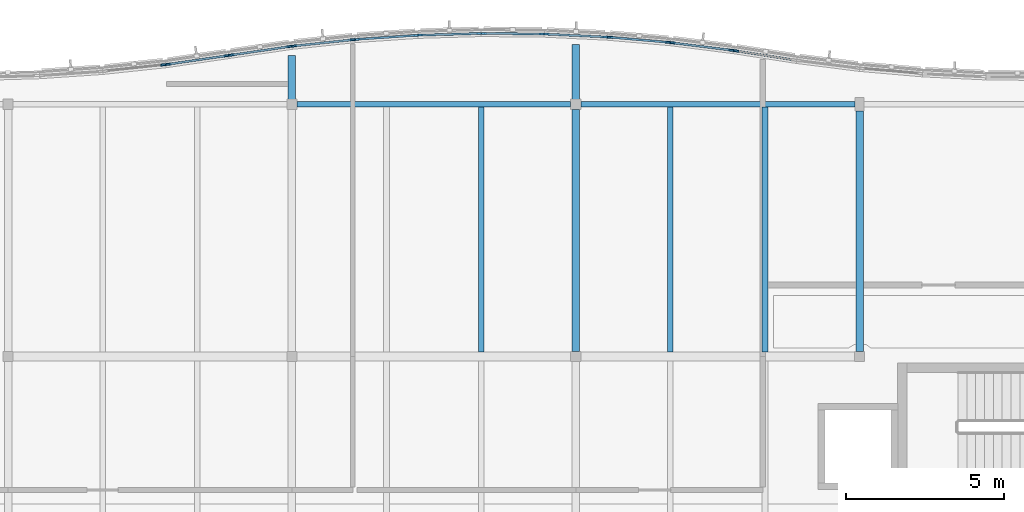
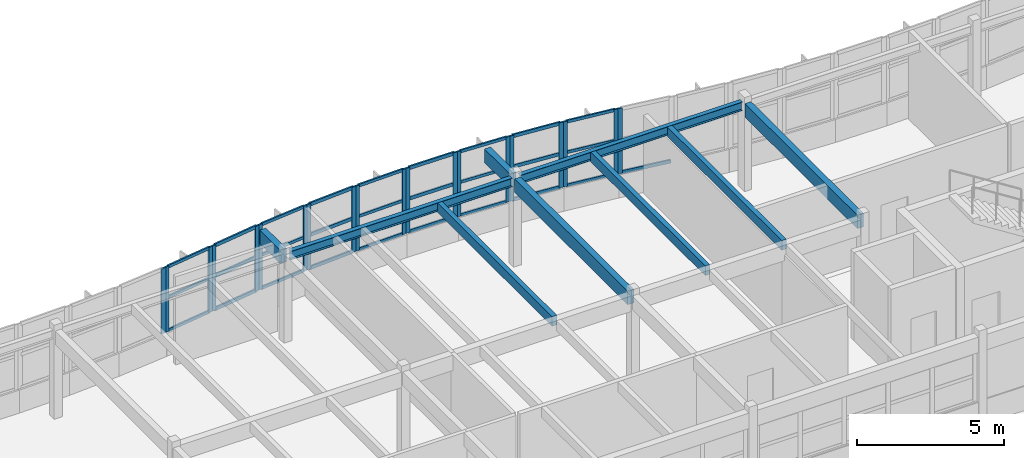
# One storey, part 7 of 33: 48 members, 9 beams, 11 elements without a shape of their own.
"""IFC4 building model written with IfcOpenShell, lengths in metres."""

from ifc_helpers import new_model, si_unit, direction, frame, origin, origin_2d, place, context, subcontext, project, spatial, rectangle, i_section, extrude, material, layer, layer_set, material_profile, profile_set, type_object, element, aggregate, save


model = new_model("IFC4")

# Units and contexts
model_context = context("Model", 3, precision=1e-05, world=origin(), true_north=direction((0.0, 1.0)))
body_context = subcontext(model_context, "Body", "Model", "MODEL_VIEW")
ifc_project = project(units=[si_unit("LENGTHUNIT", "METRE"), si_unit("AREAUNIT", "SQUARE_METRE"), si_unit("VOLUMEUNIT", "CUBIC_METRE"), si_unit("PLANEANGLEUNIT", "RADIAN"), si_unit("MASSUNIT", "GRAM", prefix="KILO")], contexts=[model_context])

# Site, building, storey
site_placement = place(None, origin())
site = spatial("IfcSite", under=ifc_project, at=site_placement, CompositionType="ELEMENT")
building_placement = place(site_placement, origin())
building = spatial("IfcBuilding", under=site, at=building_placement, Name="Tonlespit Floodbar School", CompositionType="ELEMENT")
storey_placement = place(building_placement, frame((0.0, 0.0, 16.199951171875)))
storey = spatial("IfcBuildingStorey", under=building, at=storey_placement, Name="L04", CompositionType="ELEMENT", Elevation=16.199951171875)

# Beams
ifc_material_1 = material(Name="Glulam GL28h", Category="wood")
ifc_material_profile_1 = material_profile(ifc_material_1, rectangle(XDim=0.239990234375, YDim=0.56005859375, at=origin_2d()), Name="GL 240x560")
ifc_profile_set_1 = profile_set([ifc_material_profile_1], Name="Glulam GL28h")
beam_type_1 = type_object("IfcBeamType", Name="Beam_GL_240x560", PredefinedType="BEAM", material=ifc_profile_set_1)
beam_1_placement = place(storey_placement, frame((89.0, 112.159912109375, 3.3701171875), z_axis=(0.0, 1.0, 0.0), x_axis=(-1.0, 0.0, 0.0)))
element("IfcBeam", 1, at=beam_1_placement, inside=storey, type_object=beam_type_1, Name="L04 girder 1317", PredefinedType="BEAM", context=body_context, shape_type="SweptSolid", body=[
    extrude(rectangle(XDim=0.239990234375, YDim=0.56005859375, at=origin_2d()), origin(), (0.0, 0.0, 1.0), 7.68017578125),
])
beam_2_placement = place(storey_placement, frame((98.0, 112.159912109375, 3.3701171875), z_axis=(0.0, 1.0, 0.0), x_axis=(-1.0, 0.0, 0.0)))
element("IfcBeam", 2, at=beam_2_placement, inside=storey, type_object=beam_type_1, Name="L04 girder 1318", PredefinedType="BEAM", context=body_context, shape_type="SweptSolid", body=[
    extrude(rectangle(XDim=0.239990234375, YDim=0.56005859375, at=origin_2d()), origin(), (0.0, 0.0, 1.0), 7.630126953125),
])
beam_3_placement = place(storey_placement, frame((80.0, 120.159912109375, 3.3701171875), z_axis=(0.0, 1.0, 0.0), x_axis=(-1.0, 0.0, 0.0)))
element("IfcBeam", 3, at=beam_3_placement, inside=storey, type_object=beam_type_1, Name="L04 north street wave cantilever bracket", PredefinedType="BEAM", context=body_context, shape_type="SweptSolid", body=[
    extrude(rectangle(XDim=0.239990234375, YDim=0.56005859375, at=origin_2d()), origin(), (0.0, 0.0, 1.0), 1.381591796875),
])
beam_4_placement = place(storey_placement, frame((89.0, 120.159912109375, 3.3701171875), z_axis=(0.0, 1.0, 0.0), x_axis=(-1.0, 0.0, 0.0)))
element("IfcBeam", 4, at=beam_4_placement, inside=storey, type_object=beam_type_1, Name="L04 north street wave cantilever bracket", PredefinedType="BEAM", context=body_context, shape_type="SweptSolid", body=[
    extrude(rectangle(XDim=0.239990234375, YDim=0.56005859375, at=origin_2d()), origin(), (0.0, 0.0, 1.0), 1.7294921875),
])

# Curtain wall, members
ifc_material_2 = material(Name="Anodised Aluminium", Category="aluminium")
ifc_layer_1 = layer(ifc_material_2, 0.159912109375)
ifc_layer_set_1 = layer_set([ifc_layer_1], Name="Anodised Aluminium")
curtain_wall_type_1 = type_object("IfcCurtainWallType", Name="CurtainWall_1950x2700", PredefinedType="NOTDEFINED", material=ifc_layer_set_1)
curtain_wall_1_placement = place(storey_placement, origin())
curtain_wall_1 = element("IfcCurtainWall", 5, at=curtain_wall_1_placement, inside=storey, type_object=curtain_wall_type_1, Name="L04 unitised curtain wall 0182", PredefinedType="NOTDEFINED")
ifc_material_profile_2 = material_profile(ifc_material_2, rectangle(XDim=0.06494140625, YDim=0.14990234375, at=origin_2d()), Name="ALU M65x150")
ifc_profile_set_2 = profile_set([ifc_material_profile_2], Name="Anodised Aluminium")
member_type_1 = type_object("IfcMemberType", Name="CW_Mullion_65x150", PredefinedType="MULLION", material=ifc_profile_set_2)
member_1_placement = place(storey_placement, frame((76.07177734375, 121.268798828125, 0.949951171875), z_axis=(0.0, 0.0, 1.0), x_axis=(-0.144248041079, 0.989541561858, 0.0)))
member_1 = element("IfcMember", 6, at=member_1_placement, type_object=member_type_1, Name="CW-04 mullion 1", PredefinedType="MULLION", context=body_context, shape_type="SweptSolid", body=[
    extrude(rectangle(XDim=0.06494140625, YDim=0.14990234375, at=origin_2d()), origin(), (0.0, 0.0, 1.0), 2.7001953125),
])
member_2_placement = place(storey_placement, frame((77.92822265625, 121.53955078125, 0.949951171875), z_axis=(0.0, 0.0, 1.0), x_axis=(-0.144248041079, 0.989541561858, 0.0)))
member_2 = element("IfcMember", 7, at=member_2_placement, type_object=member_type_1, Name="CW-04 mullion 2", PredefinedType="MULLION", context=body_context, shape_type="SweptSolid", body=[
    extrude(rectangle(XDim=0.06494140625, YDim=0.14990234375, at=origin_2d()), origin(), (0.0, 0.0, 1.0), 2.7001953125),
])

curtain_wall_2_placement = place(storey_placement, origin())
curtain_wall_2 = element("IfcCurtainWall", 8, at=curtain_wall_2_placement, inside=storey, type_object=curtain_wall_type_1, Name="L04 unitised curtain wall 0184", PredefinedType="NOTDEFINED")
member_3_placement = place(storey_placement, frame((80.072021484375, 121.84912109375, 0.949951171875), z_axis=(0.0, 0.0, 1.0), x_axis=(-0.105787143968, 0.994388797288, 0.0)))
member_3 = element("IfcMember", 9, at=member_3_placement, type_object=member_type_1, Name="CW-04 mullion 1", PredefinedType="MULLION", context=body_context, shape_type="SweptSolid", body=[
    extrude(rectangle(XDim=0.06494140625, YDim=0.14990234375, at=origin_2d()), origin(), (0.0, 0.0, 1.0), 2.7001953125),
])
member_4_placement = place(storey_placement, frame((81.927978515625, 122.046630859375, 0.949951171875), z_axis=(0.0, 0.0, 1.0), x_axis=(-0.105787143968, 0.994388797288, 0.0)))
member_4 = element("IfcMember", 10, at=member_4_placement, type_object=member_type_1, Name="CW-04 mullion 2", PredefinedType="MULLION", context=body_context, shape_type="SweptSolid", body=[
    extrude(rectangle(XDim=0.06494140625, YDim=0.14990234375, at=origin_2d()), origin(), (0.0, 0.0, 1.0), 2.7001953125),
])

ifc_layer_2 = layer(ifc_material_2, 0.159912109375)
ifc_layer_set_2 = layer_set([ifc_layer_2], Name="Anodised Aluminium")
curtain_wall_type_2 = type_object("IfcCurtainWallType", Name="CurtainWall_1900x2700", PredefinedType="NOTDEFINED", material=ifc_layer_set_2)
curtain_wall_3_placement = place(storey_placement, origin())
curtain_wall_3 = element("IfcCurtainWall", 11, at=curtain_wall_3_placement, inside=storey, type_object=curtain_wall_type_2, Name="L04 unitised curtain wall 0186", PredefinedType="NOTDEFINED")
member_5_placement = place(storey_placement, frame((84.072509765625, 122.19140625, 0.949951171875), z_axis=(0.0, 0.0, 1.0), x_axis=(-0.028790144226, 0.999585477883, 0.0)))
member_5 = element("IfcMember", 12, at=member_5_placement, type_object=member_type_1, Name="CW-05 mullion 1", PredefinedType="MULLION", context=body_context, shape_type="SweptSolid", body=[
    extrude(rectangle(XDim=0.06494140625, YDim=0.14990234375, at=origin_2d()), origin(), (0.0, 0.0, 1.0), 2.7001953125),
])
member_6_placement = place(storey_placement, frame((85.927490234375, 122.244873046875, 0.949951171875), z_axis=(0.0, 0.0, 1.0), x_axis=(-0.028790144226, 0.999585477883, 0.0)))
member_6 = element("IfcMember", 13, at=member_6_placement, type_object=member_type_1, Name="CW-05 mullion 2", PredefinedType="MULLION", context=body_context, shape_type="SweptSolid", body=[
    extrude(rectangle(XDim=0.06494140625, YDim=0.14990234375, at=origin_2d()), origin(), (0.0, 0.0, 1.0), 2.7001953125),
])

curtain_wall_4_placement = place(storey_placement, origin())
curtain_wall_4 = element("IfcCurtainWall", 14, at=curtain_wall_4_placement, inside=storey, type_object=curtain_wall_type_2, Name="L04 unitised curtain wall 0188", PredefinedType="NOTDEFINED")
member_7_placement = place(storey_placement, frame((88.072509765625, 122.224365234375, 0.949951171875), z_axis=(0.0, 0.0, 1.0), x_axis=(0.048121270216, 0.998841500616, 0.0)))
member_7 = element("IfcMember", 15, at=member_7_placement, type_object=member_type_1, Name="CW-05 mullion 1", PredefinedType="MULLION", context=body_context, shape_type="SweptSolid", body=[
    extrude(rectangle(XDim=0.06494140625, YDim=0.14990234375, at=origin_2d()), origin(), (0.0, 0.0, 1.0), 2.7001953125),
])
member_8_placement = place(storey_placement, frame((89.927490234375, 122.135009765625, 0.949951171875), z_axis=(0.0, 0.0, 1.0), x_axis=(0.048121270216, 0.998841500616, 0.0)))
member_8 = element("IfcMember", 16, at=member_8_placement, type_object=member_type_1, Name="CW-05 mullion 2", PredefinedType="MULLION", context=body_context, shape_type="SweptSolid", body=[
    extrude(rectangle(XDim=0.06494140625, YDim=0.14990234375, at=origin_2d()), origin(), (0.0, 0.0, 1.0), 2.7001953125),
])

curtain_wall_5_placement = place(storey_placement, origin())
curtain_wall_5 = element("IfcCurtainWall", 17, at=curtain_wall_5_placement, inside=storey, type_object=curtain_wall_type_1, Name="L04 unitised curtain wall 0190", PredefinedType="NOTDEFINED")
member_9_placement = place(storey_placement, frame((92.072021484375, 121.94873046875, 0.949951171875), z_axis=(0.0, 0.0, 1.0), x_axis=(0.125013803299, 0.992155002499, 0.0)))
member_9 = element("IfcMember", 18, at=member_9_placement, type_object=member_type_1, Name="CW-04 mullion 1", PredefinedType="MULLION", context=body_context, shape_type="SweptSolid", body=[
    extrude(rectangle(XDim=0.06494140625, YDim=0.14990234375, at=origin_2d()), origin(), (0.0, 0.0, 1.0), 2.7001953125),
])
member_10_placement = place(storey_placement, frame((93.927978515625, 121.71484375, 0.949951171875), z_axis=(0.0, 0.0, 1.0), x_axis=(0.125013803299, 0.992155002499, 0.0)))
member_10 = element("IfcMember", 19, at=member_10_placement, type_object=member_type_1, Name="CW-04 mullion 2", PredefinedType="MULLION", context=body_context, shape_type="SweptSolid", body=[
    extrude(rectangle(XDim=0.06494140625, YDim=0.14990234375, at=origin_2d()), origin(), (0.0, 0.0, 1.0), 2.7001953125),
])

# Curtain wall, member
curtain_wall_6_placement = place(storey_placement, origin())
curtain_wall_6 = element("IfcCurtainWall", 20, at=curtain_wall_6_placement, inside=storey, type_object=curtain_wall_type_1, Name="L04 unitised curtain wall 0181", PredefinedType="NOTDEFINED")
ifc_material_profile_3 = material_profile(ifc_material_2, rectangle(XDim=0.06494140625, YDim=0.179931640625, at=origin_2d()), Name="ALU M65x180")
ifc_profile_set_3 = profile_set([ifc_material_profile_3], Name="Anodised Aluminium")
member_type_2 = type_object("IfcMemberType", Name="CW_Mullion_65x180", PredefinedType="MULLION", material=ifc_profile_set_3)
member_11_placement = place(storey_placement, frame((75.927978515625, 121.250732421875, 0.949951171875), z_axis=(0.0, 0.0, 1.0), x_axis=(-0.105787143968, 0.994388797288, 0.0)))
member_11 = element("IfcMember", 21, at=member_11_placement, type_object=member_type_2, Name="CW-04 mullion 2", PredefinedType="MULLION", context=body_context, shape_type="SweptSolid", body=[
    extrude(rectangle(XDim=0.06494140625, YDim=0.179931640625, at=origin_2d()), origin(), (0.0, 0.0, 1.0), 2.7001953125),
])
aggregate(curtain_wall_6, [member_11])

# Curtain wall, members
curtain_wall_7_placement = place(storey_placement, origin())
curtain_wall_7 = element("IfcCurtainWall", 22, at=curtain_wall_7_placement, inside=storey, type_object=curtain_wall_type_1, Name="L04 unitised curtain wall 0183", PredefinedType="NOTDEFINED")
member_12_placement = place(storey_placement, frame((78.07177734375, 121.560546875, 0.949951171875), z_axis=(0.0, 0.0, 1.0), x_axis=(-0.144248041079, 0.989541561858, 0.0)))
member_12 = element("IfcMember", 23, at=member_12_placement, type_object=member_type_2, Name="CW-04 mullion 1", PredefinedType="MULLION", context=body_context, shape_type="SweptSolid", body=[
    extrude(rectangle(XDim=0.06494140625, YDim=0.179931640625, at=origin_2d()), origin(), (0.0, 0.0, 1.0), 2.7001953125),
])
member_13_placement = place(storey_placement, frame((79.92822265625, 121.8310546875, 0.949951171875), z_axis=(0.0, 0.0, 1.0), x_axis=(-0.144248041079, 0.989541561858, 0.0)))
member_13 = element("IfcMember", 24, at=member_13_placement, type_object=member_type_2, Name="CW-04 mullion 2", PredefinedType="MULLION", context=body_context, shape_type="SweptSolid", body=[
    extrude(rectangle(XDim=0.06494140625, YDim=0.179931640625, at=origin_2d()), origin(), (0.0, 0.0, 1.0), 2.7001953125),
])

curtain_wall_8_placement = place(storey_placement, origin())
curtain_wall_8 = element("IfcCurtainWall", 25, at=curtain_wall_8_placement, inside=storey, type_object=curtain_wall_type_2, Name="L04 unitised curtain wall 0185", PredefinedType="NOTDEFINED")
member_14_placement = place(storey_placement, frame((82.072265625, 122.05908203125, 0.949951171875), z_axis=(0.0, 0.0, 1.0), x_axis=(-0.067339767311, 0.99773010165, 0.0)))
member_14 = element("IfcMember", 26, at=member_14_placement, type_object=member_type_2, Name="CW-05 mullion 1", PredefinedType="MULLION", context=body_context, shape_type="SweptSolid", body=[
    extrude(rectangle(XDim=0.06494140625, YDim=0.179931640625, at=origin_2d()), origin(), (0.0, 0.0, 1.0), 2.7001953125),
])
member_15_placement = place(storey_placement, frame((83.927734375, 122.184326171875, 0.949951171875), z_axis=(0.0, 0.0, 1.0), x_axis=(-0.067339767311, 0.99773010165, 0.0)))
member_15 = element("IfcMember", 27, at=member_15_placement, type_object=member_type_2, Name="CW-05 mullion 2", PredefinedType="MULLION", context=body_context, shape_type="SweptSolid", body=[
    extrude(rectangle(XDim=0.06494140625, YDim=0.179931640625, at=origin_2d()), origin(), (0.0, 0.0, 1.0), 2.7001953125),
])

curtain_wall_9_placement = place(storey_placement, origin())
curtain_wall_9 = element("IfcCurtainWall", 28, at=curtain_wall_9_placement, inside=storey, type_object=curtain_wall_type_2, Name="L04 unitised curtain wall 0187", PredefinedType="NOTDEFINED")
member_16_placement = place(storey_placement, frame((86.072509765625, 122.246337890625, 0.949951171875), z_axis=(0.0, 0.0, 1.0), x_axis=(0.009582893292, 0.999954083024, 0.0)))
member_16 = element("IfcMember", 29, at=member_16_placement, type_object=member_type_2, Name="CW-05 mullion 1", PredefinedType="MULLION", context=body_context, shape_type="SweptSolid", body=[
    extrude(rectangle(XDim=0.06494140625, YDim=0.179931640625, at=origin_2d()), origin(), (0.0, 0.0, 1.0), 2.7001953125),
])
member_17_placement = place(storey_placement, frame((87.927490234375, 122.228515625, 0.949951171875), z_axis=(0.0, 0.0, 1.0), x_axis=(0.009582893292, 0.999954083024, 0.0)))
member_17 = element("IfcMember", 30, at=member_17_placement, type_object=member_type_2, Name="CW-05 mullion 2", PredefinedType="MULLION", context=body_context, shape_type="SweptSolid", body=[
    extrude(rectangle(XDim=0.06494140625, YDim=0.179931640625, at=origin_2d()), origin(), (0.0, 0.0, 1.0), 2.7001953125),
])

curtain_wall_10_placement = place(storey_placement, origin())
curtain_wall_10 = element("IfcCurtainWall", 31, at=curtain_wall_10_placement, inside=storey, type_object=curtain_wall_type_1, Name="L04 unitised curtain wall 0189", PredefinedType="NOTDEFINED")
member_18_placement = place(storey_placement, frame((90.072265625, 122.125244140625, 0.949951171875), z_axis=(0.0, 0.0, 1.0), x_axis=(0.086531117454, 0.996249148412, 0.0)))
member_18 = element("IfcMember", 32, at=member_18_placement, type_object=member_type_2, Name="CW-04 mullion 1", PredefinedType="MULLION", context=body_context, shape_type="SweptSolid", body=[
    extrude(rectangle(XDim=0.06494140625, YDim=0.179931640625, at=origin_2d()), origin(), (0.0, 0.0, 1.0), 2.7001953125),
])
member_19_placement = place(storey_placement, frame((91.927734375, 121.964111328125, 0.949951171875), z_axis=(0.0, 0.0, 1.0), x_axis=(0.086531117454, 0.996249148412, 0.0)))
member_19 = element("IfcMember", 33, at=member_19_placement, type_object=member_type_2, Name="CW-04 mullion 2", PredefinedType="MULLION", context=body_context, shape_type="SweptSolid", body=[
    extrude(rectangle(XDim=0.06494140625, YDim=0.179931640625, at=origin_2d()), origin(), (0.0, 0.0, 1.0), 2.7001953125),
])

# Curtain wall, member
curtain_wall_11_placement = place(storey_placement, origin())
curtain_wall_11 = element("IfcCurtainWall", 34, at=curtain_wall_11_placement, inside=storey, type_object=curtain_wall_type_1, Name="L04 unitised curtain wall 0191", PredefinedType="NOTDEFINED")
member_20_placement = place(storey_placement, frame((94.071533203125, 121.694580078125, 0.949951171875), z_axis=(0.0, 0.0, 1.0), x_axis=(0.153796288585, 0.988102576465, 0.0)))
member_20 = element("IfcMember", 35, at=member_20_placement, type_object=member_type_2, Name="CW-04 mullion 1", PredefinedType="MULLION", context=body_context, shape_type="SweptSolid", body=[
    extrude(rectangle(XDim=0.06494140625, YDim=0.179931640625, at=origin_2d()), origin(), (0.0, 0.0, 1.0), 2.7001953125),
])

# Member
ifc_material_profile_4 = material_profile(ifc_material_2, rectangle(XDim=0.06494140625, YDim=0.1201171875, at=origin_2d()), Name="ALU T65x120")
ifc_profile_set_4 = profile_set([ifc_material_profile_4], Name="Anodised Aluminium")
member_type_3 = type_object("IfcMemberType", Name="CW_Transom_65x120", PredefinedType="USERDEFINED", material=ifc_profile_set_4)
member_21_placement = place(storey_placement, frame((76.10400390625, 121.273681640625, 0.982666015625), z_axis=(0.989541000818, 0.144251889765, 0.0), x_axis=(-0.144251889765, 0.989541000818, 0.0)))
member_21 = element("IfcMember", 36, at=member_21_placement, type_object=member_type_3, Name="CW-04 transom 1.1", ObjectType="TRANSOM", PredefinedType="USERDEFINED", context=body_context, shape_type="SweptSolid", body=[
    extrude(rectangle(XDim=0.06494140625, YDim=0.1201171875, at=origin_2d()), origin(), (0.0, 0.0, 1.0), 1.81103515625),
])

member_22_placement = place(storey_placement, frame((76.10400390625, 121.273681640625, 2.35400390625), z_axis=(0.989541000818, 0.144251889765, 0.0), x_axis=(-0.144251889765, 0.989541000818, 0.0)))
member_22 = element("IfcMember", 37, at=member_22_placement, type_object=member_type_3, Name="CW-04 transom 1.2", ObjectType="TRANSOM", PredefinedType="USERDEFINED", context=body_context, shape_type="SweptSolid", body=[
    extrude(rectangle(XDim=0.06494140625, YDim=0.1201171875, at=origin_2d()), origin(), (0.0, 0.0, 1.0), 1.81103515625),
])

member_23_placement = place(storey_placement, frame((76.10400390625, 121.273681640625, 3.617431640625), z_axis=(0.989541000818, 0.144251889765, 0.0), x_axis=(-0.144251889765, 0.989541000818, 0.0)))
member_23 = element("IfcMember", 38, at=member_23_placement, type_object=member_type_3, Name="CW-04 transom 1.3", ObjectType="TRANSOM", PredefinedType="USERDEFINED", context=body_context, shape_type="SweptSolid", body=[
    extrude(rectangle(XDim=0.06494140625, YDim=0.1201171875, at=origin_2d()), origin(), (0.0, 0.0, 1.0), 1.81103515625),
])

aggregate(curtain_wall_1, [member_1, member_2, member_21, member_22, member_23])

member_24_placement = place(storey_placement, frame((80.1044921875, 121.852783203125, 0.982666015625), z_axis=(0.994394979136, 0.105729019047, 0.0), x_axis=(-0.105729019047, 0.994394979136, 0.0)))
member_24 = element("IfcMember", 39, at=member_24_placement, type_object=member_type_3, Name="CW-04 transom 1.1", ObjectType="TRANSOM", PredefinedType="USERDEFINED", context=body_context, shape_type="SweptSolid", body=[
    extrude(rectangle(XDim=0.06494140625, YDim=0.1201171875, at=origin_2d()), origin(), (0.0, 0.0, 1.0), 1.801025390625),
])

member_25_placement = place(storey_placement, frame((80.1044921875, 121.852783203125, 2.35400390625), z_axis=(0.994394979136, 0.105729019047, 0.0), x_axis=(-0.105729019047, 0.994394979136, 0.0)))
member_25 = element("IfcMember", 40, at=member_25_placement, type_object=member_type_3, Name="CW-04 transom 1.2", ObjectType="TRANSOM", PredefinedType="USERDEFINED", context=body_context, shape_type="SweptSolid", body=[
    extrude(rectangle(XDim=0.06494140625, YDim=0.1201171875, at=origin_2d()), origin(), (0.0, 0.0, 1.0), 1.801025390625),
])

member_26_placement = place(storey_placement, frame((80.1044921875, 121.852783203125, 3.617431640625), z_axis=(0.994394979136, 0.105729019047, 0.0), x_axis=(-0.105729019047, 0.994394979136, 0.0)))
member_26 = element("IfcMember", 41, at=member_26_placement, type_object=member_type_3, Name="CW-04 transom 1.3", ObjectType="TRANSOM", PredefinedType="USERDEFINED", context=body_context, shape_type="SweptSolid", body=[
    extrude(rectangle(XDim=0.06494140625, YDim=0.1201171875, at=origin_2d()), origin(), (0.0, 0.0, 1.0), 1.801025390625),
])

aggregate(curtain_wall_2, [member_3, member_4, member_24, member_25, member_26])

member_27_placement = place(storey_placement, frame((84.10498046875, 122.1923828125, 0.982666015625), z_axis=(0.999586171543, 0.02876605049, 0.0), x_axis=(-0.02876605049, 0.999586171543, 0.0)))
member_27 = element("IfcMember", 42, at=member_27_placement, type_object=member_type_3, Name="CW-05 transom 1.1", ObjectType="TRANSOM", PredefinedType="USERDEFINED", context=body_context, shape_type="SweptSolid", body=[
    extrude(rectangle(XDim=0.06494140625, YDim=0.1201171875, at=origin_2d()), origin(), (0.0, 0.0, 1.0), 1.790771484375),
])

member_28_placement = place(storey_placement, frame((84.10498046875, 122.1923828125, 2.35400390625), z_axis=(0.999586171543, 0.02876605049, 0.0), x_axis=(-0.02876605049, 0.999586171543, 0.0)))
member_28 = element("IfcMember", 43, at=member_28_placement, type_object=member_type_3, Name="CW-05 transom 1.2", ObjectType="TRANSOM", PredefinedType="USERDEFINED", context=body_context, shape_type="SweptSolid", body=[
    extrude(rectangle(XDim=0.06494140625, YDim=0.1201171875, at=origin_2d()), origin(), (0.0, 0.0, 1.0), 1.790771484375),
])

member_29_placement = place(storey_placement, frame((84.10498046875, 122.1923828125, 3.617431640625), z_axis=(0.999586171543, 0.02876605049, 0.0), x_axis=(-0.02876605049, 0.999586171543, 0.0)))
member_29 = element("IfcMember", 44, at=member_29_placement, type_object=member_type_3, Name="CW-05 transom 1.3", ObjectType="TRANSOM", PredefinedType="USERDEFINED", context=body_context, shape_type="SweptSolid", body=[
    extrude(rectangle(XDim=0.06494140625, YDim=0.1201171875, at=origin_2d()), origin(), (0.0, 0.0, 1.0), 1.790771484375),
])

aggregate(curtain_wall_3, [member_5, member_6, member_27, member_28, member_29])

member_30_placement = place(storey_placement, frame((88.10498046875, 122.22265625, 0.982666015625), z_axis=(0.998843034795, -0.048089415069, 0.0), x_axis=(0.048089415069, 0.998843034795, 0.0)))
member_30 = element("IfcMember", 45, at=member_30_placement, type_object=member_type_3, Name="CW-05 transom 1.1", ObjectType="TRANSOM", PredefinedType="USERDEFINED", context=body_context, shape_type="SweptSolid", body=[
    extrude(rectangle(XDim=0.06494140625, YDim=0.1201171875, at=origin_2d()), origin(), (0.0, 0.0, 1.0), 1.7919921875),
])

member_31_placement = place(storey_placement, frame((88.10498046875, 122.22265625, 2.35400390625), z_axis=(0.998843034795, -0.048089415069, 0.0), x_axis=(0.048089415069, 0.998843034795, 0.0)))
member_31 = element("IfcMember", 46, at=member_31_placement, type_object=member_type_3, Name="CW-05 transom 1.2", ObjectType="TRANSOM", PredefinedType="USERDEFINED", context=body_context, shape_type="SweptSolid", body=[
    extrude(rectangle(XDim=0.06494140625, YDim=0.1201171875, at=origin_2d()), origin(), (0.0, 0.0, 1.0), 1.7919921875),
])

member_32_placement = place(storey_placement, frame((88.10498046875, 122.22265625, 3.617431640625), z_axis=(0.998843034795, -0.048089415069, 0.0), x_axis=(0.048089415069, 0.998843034795, 0.0)))
member_32 = element("IfcMember", 47, at=member_32_placement, type_object=member_type_3, Name="CW-05 transom 1.3", ObjectType="TRANSOM", PredefinedType="USERDEFINED", context=body_context, shape_type="SweptSolid", body=[
    extrude(rectangle(XDim=0.06494140625, YDim=0.1201171875, at=origin_2d()), origin(), (0.0, 0.0, 1.0), 1.7919921875),
])

aggregate(curtain_wall_4, [member_7, member_8, member_30, member_31, member_32])

member_33_placement = place(storey_placement, frame((92.104248046875, 121.944580078125, 0.982666015625), z_axis=(0.992148373735, -0.125066400341, 0.0), x_axis=(0.125066400341, 0.992148373735, 0.0)))
member_33 = element("IfcMember", 48, at=member_33_placement, type_object=member_type_3, Name="CW-04 transom 1.1", ObjectType="TRANSOM", PredefinedType="USERDEFINED", context=body_context, shape_type="SweptSolid", body=[
    extrude(rectangle(XDim=0.06494140625, YDim=0.1201171875, at=origin_2d()), origin(), (0.0, 0.0, 1.0), 1.8056640625),
])

member_34_placement = place(storey_placement, frame((92.104248046875, 121.944580078125, 2.35400390625), z_axis=(0.992148373735, -0.125066400341, 0.0), x_axis=(0.125066400341, 0.992148373735, 0.0)))
member_34 = element("IfcMember", 49, at=member_34_placement, type_object=member_type_3, Name="CW-04 transom 1.2", ObjectType="TRANSOM", PredefinedType="USERDEFINED", context=body_context, shape_type="SweptSolid", body=[
    extrude(rectangle(XDim=0.06494140625, YDim=0.1201171875, at=origin_2d()), origin(), (0.0, 0.0, 1.0), 1.8056640625),
])

member_35_placement = place(storey_placement, frame((92.104248046875, 121.944580078125, 3.617431640625), z_axis=(0.992148373735, -0.125066400341, 0.0), x_axis=(0.125066400341, 0.992148373735, 0.0)))
member_35 = element("IfcMember", 50, at=member_35_placement, type_object=member_type_3, Name="CW-04 transom 1.3", ObjectType="TRANSOM", PredefinedType="USERDEFINED", context=body_context, shape_type="SweptSolid", body=[
    extrude(rectangle(XDim=0.06494140625, YDim=0.1201171875, at=origin_2d()), origin(), (0.0, 0.0, 1.0), 1.8056640625),
])

aggregate(curtain_wall_5, [member_9, member_10, member_33, member_34, member_35])

ifc_material_profile_5 = material_profile(ifc_material_2, rectangle(XDim=0.06494140625, YDim=0.139892578125, at=origin_2d()), Name="ALU T65x140")
ifc_profile_set_5 = profile_set([ifc_material_profile_5], Name="Anodised Aluminium")
member_type_4 = type_object("IfcMemberType", Name="CW_Transom_65x140", PredefinedType="USERDEFINED", material=ifc_profile_set_5)
member_36_placement = place(storey_placement, frame((78.10400390625, 121.565185546875, 0.982666015625), z_axis=(0.989541000818, 0.144251889765, 0.0), x_axis=(-0.144251889765, 0.989541000818, 0.0)))
member_36 = element("IfcMember", 51, at=member_36_placement, type_object=member_type_4, Name="CW-04 transom 1.1", ObjectType="TRANSOM", PredefinedType="USERDEFINED", context=body_context, shape_type="SweptSolid", body=[
    extrude(rectangle(XDim=0.06494140625, YDim=0.139892578125, at=origin_2d()), origin(), (0.0, 0.0, 1.0), 1.81103515625),
])

member_37_placement = place(storey_placement, frame((78.10400390625, 121.565185546875, 2.35400390625), z_axis=(0.989541000818, 0.144251889765, 0.0), x_axis=(-0.144251889765, 0.989541000818, 0.0)))
member_37 = element("IfcMember", 52, at=member_37_placement, type_object=member_type_4, Name="CW-04 transom 1.2", ObjectType="TRANSOM", PredefinedType="USERDEFINED", context=body_context, shape_type="SweptSolid", body=[
    extrude(rectangle(XDim=0.06494140625, YDim=0.139892578125, at=origin_2d()), origin(), (0.0, 0.0, 1.0), 1.81103515625),
])

member_38_placement = place(storey_placement, frame((78.10400390625, 121.565185546875, 3.617431640625), z_axis=(0.989541000818, 0.144251889765, 0.0), x_axis=(-0.144251889765, 0.989541000818, 0.0)))
member_38 = element("IfcMember", 53, at=member_38_placement, type_object=member_type_4, Name="CW-04 transom 1.3", ObjectType="TRANSOM", PredefinedType="USERDEFINED", context=body_context, shape_type="SweptSolid", body=[
    extrude(rectangle(XDim=0.06494140625, YDim=0.139892578125, at=origin_2d()), origin(), (0.0, 0.0, 1.0), 1.81103515625),
])

aggregate(curtain_wall_7, [member_12, member_13, member_36, member_37, member_38])

member_39_placement = place(storey_placement, frame((82.104736328125, 122.061279296875, 0.982666015625), z_axis=(0.997730041674, 0.067340655935, 0.0), x_axis=(-0.067340655935, 0.997730041674, 0.0)))
member_39 = element("IfcMember", 54, at=member_39_placement, type_object=member_type_4, Name="CW-05 transom 1.1", ObjectType="TRANSOM", PredefinedType="USERDEFINED", context=body_context, shape_type="SweptSolid", body=[
    extrude(rectangle(XDim=0.06494140625, YDim=0.139892578125, at=origin_2d()), origin(), (0.0, 0.0, 1.0), 1.794677734375),
])

member_40_placement = place(storey_placement, frame((82.104736328125, 122.061279296875, 2.35400390625), z_axis=(0.997730041674, 0.067340655935, 0.0), x_axis=(-0.067340655935, 0.997730041674, 0.0)))
member_40 = element("IfcMember", 55, at=member_40_placement, type_object=member_type_4, Name="CW-05 transom 1.2", ObjectType="TRANSOM", PredefinedType="USERDEFINED", context=body_context, shape_type="SweptSolid", body=[
    extrude(rectangle(XDim=0.06494140625, YDim=0.139892578125, at=origin_2d()), origin(), (0.0, 0.0, 1.0), 1.794677734375),
])

member_41_placement = place(storey_placement, frame((82.104736328125, 122.061279296875, 3.617431640625), z_axis=(0.997730041674, 0.067340655935, 0.0), x_axis=(-0.067340655935, 0.997730041674, 0.0)))
member_41 = element("IfcMember", 56, at=member_41_placement, type_object=member_type_4, Name="CW-05 transom 1.3", ObjectType="TRANSOM", PredefinedType="USERDEFINED", context=body_context, shape_type="SweptSolid", body=[
    extrude(rectangle(XDim=0.06494140625, YDim=0.139892578125, at=origin_2d()), origin(), (0.0, 0.0, 1.0), 1.794677734375),
])

aggregate(curtain_wall_8, [member_14, member_15, member_39, member_40, member_41])

member_42_placement = place(storey_placement, frame((86.10498046875, 122.24609375, 0.982666015625), z_axis=(0.999953117448, -0.009683124842, 0.0), x_axis=(0.009683124842, 0.999953117448, 0.0)))
member_42 = element("IfcMember", 57, at=member_42_placement, type_object=member_type_4, Name="CW-05 transom 1.1", ObjectType="TRANSOM", PredefinedType="USERDEFINED", context=body_context, shape_type="SweptSolid", body=[
    extrude(rectangle(XDim=0.06494140625, YDim=0.139892578125, at=origin_2d()), origin(), (0.0, 0.0, 1.0), 1.7900390625),
])

member_43_placement = place(storey_placement, frame((86.10498046875, 122.24609375, 2.35400390625), z_axis=(0.999953117448, -0.009683124842, 0.0), x_axis=(0.009683124842, 0.999953117448, 0.0)))
member_43 = element("IfcMember", 58, at=member_43_placement, type_object=member_type_4, Name="CW-05 transom 1.2", ObjectType="TRANSOM", PredefinedType="USERDEFINED", context=body_context, shape_type="SweptSolid", body=[
    extrude(rectangle(XDim=0.06494140625, YDim=0.139892578125, at=origin_2d()), origin(), (0.0, 0.0, 1.0), 1.7900390625),
])

member_44_placement = place(storey_placement, frame((86.10498046875, 122.24609375, 3.617431640625), z_axis=(0.999953117448, -0.009683124842, 0.0), x_axis=(0.009683124842, 0.999953117448, 0.0)))
member_44 = element("IfcMember", 59, at=member_44_placement, type_object=member_type_4, Name="CW-05 transom 1.3", ObjectType="TRANSOM", PredefinedType="USERDEFINED", context=body_context, shape_type="SweptSolid", body=[
    extrude(rectangle(XDim=0.06494140625, YDim=0.139892578125, at=origin_2d()), origin(), (0.0, 0.0, 1.0), 1.7900390625),
])

aggregate(curtain_wall_9, [member_16, member_17, member_42, member_43, member_44])

member_45_placement = place(storey_placement, frame((90.1044921875, 122.122314453125, 0.982666015625), z_axis=(0.996251281774, -0.086506552139, 0.0), x_axis=(0.086506552139, 0.996251281774, 0.0)))
member_45 = element("IfcMember", 60, at=member_45_placement, type_object=member_type_4, Name="CW-04 transom 1.1", ObjectType="TRANSOM", PredefinedType="USERDEFINED", context=body_context, shape_type="SweptSolid", body=[
    extrude(rectangle(XDim=0.06494140625, YDim=0.139892578125, at=origin_2d()), origin(), (0.0, 0.0, 1.0), 1.7978515625),
])

member_46_placement = place(storey_placement, frame((90.1044921875, 122.122314453125, 2.35400390625), z_axis=(0.996251281774, -0.086506552139, 0.0), x_axis=(0.086506552139, 0.996251281774, 0.0)))
member_46 = element("IfcMember", 61, at=member_46_placement, type_object=member_type_4, Name="CW-04 transom 1.2", ObjectType="TRANSOM", PredefinedType="USERDEFINED", context=body_context, shape_type="SweptSolid", body=[
    extrude(rectangle(XDim=0.06494140625, YDim=0.139892578125, at=origin_2d()), origin(), (0.0, 0.0, 1.0), 1.7978515625),
])

member_47_placement = place(storey_placement, frame((90.1044921875, 122.122314453125, 3.617431640625), z_axis=(0.996251281774, -0.086506552139, 0.0), x_axis=(0.086506552139, 0.996251281774, 0.0)))
member_47 = element("IfcMember", 62, at=member_47_placement, type_object=member_type_4, Name="CW-04 transom 1.3", ObjectType="TRANSOM", PredefinedType="USERDEFINED", context=body_context, shape_type="SweptSolid", body=[
    extrude(rectangle(XDim=0.06494140625, YDim=0.139892578125, at=origin_2d()), origin(), (0.0, 0.0, 1.0), 1.7978515625),
])

aggregate(curtain_wall_10, [member_18, member_19, member_45, member_46, member_47])

member_48_placement = place(storey_placement, frame((94.103759765625, 121.689453125, 0.982666015625), z_axis=(0.988097838313, -0.15382672694, 0.0), x_axis=(0.15382672694, 0.988097838313, 0.0)))
member_48 = element("IfcMember", 63, at=member_48_placement, type_object=member_type_4, Name="CW-04 transom 1.1", ObjectType="TRANSOM", PredefinedType="USERDEFINED", context=body_context, shape_type="SweptSolid", body=[
    extrude(rectangle(XDim=0.06494140625, YDim=0.139892578125, at=origin_2d()), origin(), (0.0, 0.0, 1.0), 1.81396484375),
])

aggregate(curtain_wall_11, [member_20, member_48])

# Beams
ifc_material_profile_6 = material_profile(ifc_material_1, rectangle(XDim=0.179931640625, YDim=0.39990234375, at=origin_2d()), Name="GL 180x400")
ifc_profile_set_6 = profile_set([ifc_material_profile_6], Name="Glulam GL28h")
beam_type_2 = type_object("IfcBeamType", Name="Joist_GL_180x400", PredefinedType="JOIST", material=ifc_profile_set_6)
for number, where, z_axis, x_axis, name in (
    (64, (86.0, 112.139892578125, 3.447998046875), (0.0, 1.0, 0.0), (-1.0, 0.0, 0.0), "L04 secondary joist 1333"),
    (65, (92.0, 112.139892578125, 3.447998046875), (0.0, 1.0, 0.0), (-1.0, 0.0, 0.0), "L04 secondary joist 1334"),
    (66, (95.0, 112.139892578125, 3.447998046875), (0.0, 1.0, 0.0), (-1.0, 0.0, 0.0), "L04 secondary joist 1335"),
):
    element("IfcBeam", number, at=place(storey_placement, frame(where, z_axis=z_axis, x_axis=x_axis)), inside=storey, type_object=beam_type_2, Name=name, PredefinedType="JOIST", context=body_context, shape_type="SweptSolid", body=[
        extrude(rectangle(XDim=0.179931640625, YDim=0.39990234375, at=origin_2d()), origin(), (0.0, 0.0, 1.0), 7.775146484375),
    ])
ifc_material_3 = material(Name="Steel S355", Category="steel")
ifc_material_profile_7 = material_profile(ifc_material_3, i_section(OverallWidth=0.169921875, OverallDepth=0.360107421875, WebThickness=0.008056640625, FlangeThickness=0.0126953125, at=origin_2d()), Name="IPE 360")
ifc_profile_set_7 = profile_set([ifc_material_profile_7], Name="Steel S355")
beam_type_3 = type_object("IfcBeamType", Name="Spandrel_STL_IPE360", PredefinedType="SPANDREL", material=ifc_profile_set_7)
beam_5_placement = place(storey_placement, frame((80.159912109375, 120.0, 3.469970703125), z_axis=(1.0, 0.0, 0.0), x_axis=(0.0, 1.0, 0.0)))
element("IfcBeam", 67, at=beam_5_placement, inside=storey, type_object=beam_type_3, Name="L04 girder 1301", PredefinedType="SPANDREL", context=body_context, shape_type="SweptSolid", body=[
    extrude(i_section(OverallWidth=0.169921875, OverallDepth=0.360107421875, WebThickness=0.008056640625, FlangeThickness=0.0126953125, at=origin_2d()), origin(), (0.0, 0.0, 1.0), 8.68017578125),
])
beam_6_placement = place(storey_placement, frame((89.159912109375, 120.0, 3.469970703125), z_axis=(1.0, 0.0, 0.0), x_axis=(0.0, 1.0, 0.0)))
element("IfcBeam", 68, at=beam_6_placement, inside=storey, type_object=beam_type_3, Name="L04 girder 1302", PredefinedType="SPANDREL", context=body_context, shape_type="SweptSolid", body=[
    extrude(i_section(OverallWidth=0.169921875, OverallDepth=0.360107421875, WebThickness=0.008056640625, FlangeThickness=0.0126953125, at=origin_2d()), origin(), (0.0, 0.0, 1.0), 8.7001953125),
])

save(model, "model.ifc")
